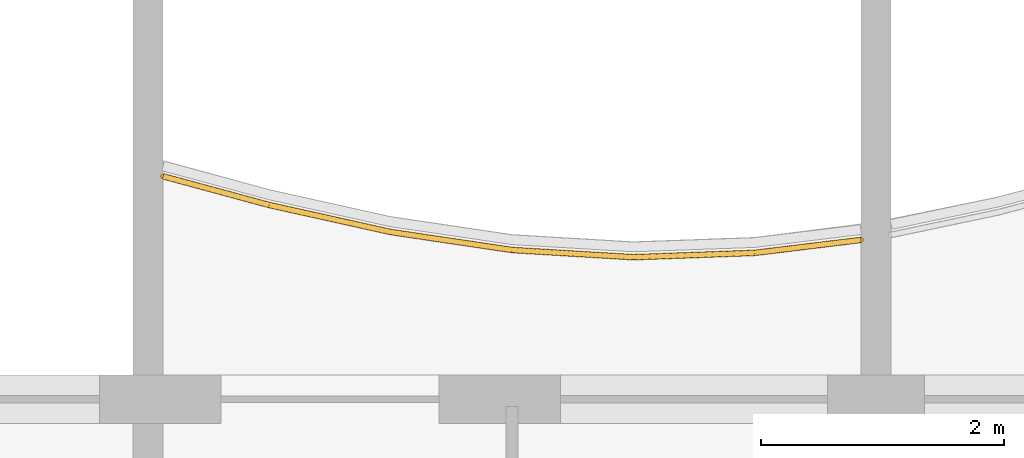
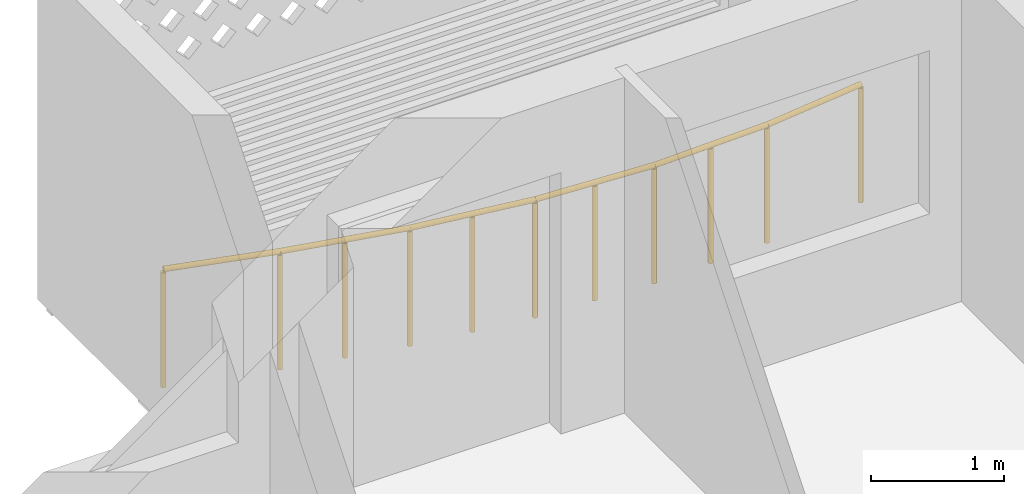
# One storey, part 15 of 26: 1 railing.
"""IFC4 building model written with IfcOpenShell, lengths in metres."""

from ifc_helpers import new_model, si_unit, direction, frame, origin, origin_2d, place, context, subcontext, project, spatial, circle, extrude, material, type_object, element, save


model = new_model("IFC4")

# Units and contexts
model_context = context("Model", 3, precision=1e-05, world=origin(), true_north=direction((0.0, 1.0)))
body_context = subcontext(model_context, "Body", "Model", "MODEL_VIEW")
ifc_project = project(units=[si_unit("LENGTHUNIT", "METRE"), si_unit("AREAUNIT", "SQUARE_METRE"), si_unit("VOLUMEUNIT", "CUBIC_METRE"), si_unit("PLANEANGLEUNIT", "RADIAN"), si_unit("MASSUNIT", "GRAM", prefix="KILO")], contexts=[model_context])

# Site, building, storey
site_placement = place(None, origin())
site = spatial("IfcSite", under=ifc_project, at=site_placement, CompositionType="ELEMENT")
building_placement = place(site_placement, origin())
building = spatial("IfcBuilding", under=site, at=building_placement, Name="Poui Terraces", CompositionType="ELEMENT")
storey_placement = place(building_placement, frame((0.0, 0.0, 221.39990234375)))
storey = spatial("IfcBuildingStorey", under=building, at=storey_placement, Name="L61", CompositionType="ELEMENT", Elevation=221.39990234375)

# Railing
ifc_material = material(Name="Painted steel fretwork", Category="steel")
railing_type = type_object("IfcRailingType", Name="BALCONY GUARD 1100", PredefinedType="GUARDRAIL", material=ifc_material)
railing_placement = place(storey_placement, frame((30.125, 43.03759765625, 0.0)))
element("IfcRailing", 1, at=railing_placement, inside=storey, type_object=railing_type, Name="BALCONY GUARD", PredefinedType="GUARDRAIL", context=body_context, shape_type="SweptSolid", body=[
    extrude(circle(Radius=0.02392578125, at=origin_2d()), frame((0.0, 0.0, 1.076171875), z_axis=(0.965203717149, -0.261499109752, 0.0), x_axis=(0.261499109752, 0.965203717149, 0.0)), (0.0, 0.0, 1.0), 0.906494140625),
    extrude(circle(Radius=0.02392578125, at=origin_2d()), frame((0.875, -0.237060546875, 1.076171875), z_axis=(0.976248709224, -0.216652850753, 0.0), x_axis=(0.216652850753, 0.976248709224, 0.0)), (0.0, 0.0, 1.0), 1.0244140625),
    extrude(circle(Radius=0.02392578125, at=origin_2d()), frame((1.875, -0.458984375, 1.076171875), z_axis=(0.989161931015, -0.146828724135, 0.0), x_axis=(0.146828724135, 0.989161931015, 0.0)), (0.0, 0.0, 1.0), 1.010986328125),
    extrude(circle(Radius=0.02392578125, at=origin_2d()), frame((2.875, -0.607421875, 1.076171875), z_axis=(0.998244834412, -0.05922204462, 0.0), x_axis=(0.05922204462, 0.998244834412, 0.0)), (0.0, 0.0, 1.0), 1.001708984375),
    extrude(circle(Radius=0.02392578125, at=origin_2d()), frame((3.875, -0.666748046875, 1.076171875), z_axis=(0.999365338401, 0.035621909035, 0.0), x_axis=(-0.035621909035, 0.999365338401, 0.0)), (0.0, 0.0, 1.0), 1.000732421875),
    extrude(circle(Radius=0.02392578125, at=origin_2d()), frame((4.875, -0.631103515625, 1.076171875), z_axis=(0.992648312578, 0.121034406416, 0.0), x_axis=(-0.121034406416, 0.992648312578, 0.0)), (0.0, 0.0, 1.0), 0.881591796875),
    extrude(circle(Radius=0.02099609375, at=origin_2d()), origin(), (0.0, 0.0, 1.0), 1.052001953125),
    extrude(circle(Radius=0.02099609375, at=origin_2d()), frame((0.875, -0.237060546875, 0.0)), (0.0, 0.0, 1.0), 1.052001953125),
    extrude(circle(Radius=0.02099609375, at=origin_2d()), frame((1.375, -0.34814453125, 0.0)), (0.0, 0.0, 1.0), 1.052001953125),
    extrude(circle(Radius=0.02099609375, at=origin_2d()), frame((1.875, -0.458984375, 0.0)), (0.0, 0.0, 1.0), 1.052001953125),
    extrude(circle(Radius=0.02099609375, at=origin_2d()), frame((2.375, -0.533203125, 0.0)), (0.0, 0.0, 1.0), 1.052001953125),
    extrude(circle(Radius=0.02099609375, at=origin_2d()), frame((2.875, -0.607421875, 0.0)), (0.0, 0.0, 1.0), 1.052001953125),
    extrude(circle(Radius=0.02099609375, at=origin_2d()), frame((3.375, -0.63720703125, 0.0)), (0.0, 0.0, 1.0), 1.052001953125),
    extrude(circle(Radius=0.02099609375, at=origin_2d()), frame((3.875, -0.666748046875, 0.0)), (0.0, 0.0, 1.0), 1.052001953125),
    extrude(circle(Radius=0.02099609375, at=origin_2d()), frame((4.375, -0.64892578125, 0.0)), (0.0, 0.0, 1.0), 1.052001953125),
    extrude(circle(Radius=0.02099609375, at=origin_2d()), frame((4.875, -0.631103515625, 0.0)), (0.0, 0.0, 1.0), 1.052001953125),
    extrude(circle(Radius=0.02099609375, at=origin_2d()), frame((5.75, -0.5244140625, 0.0)), (0.0, 0.0, 1.0), 1.052001953125),
])

save(model, "model.ifc")
